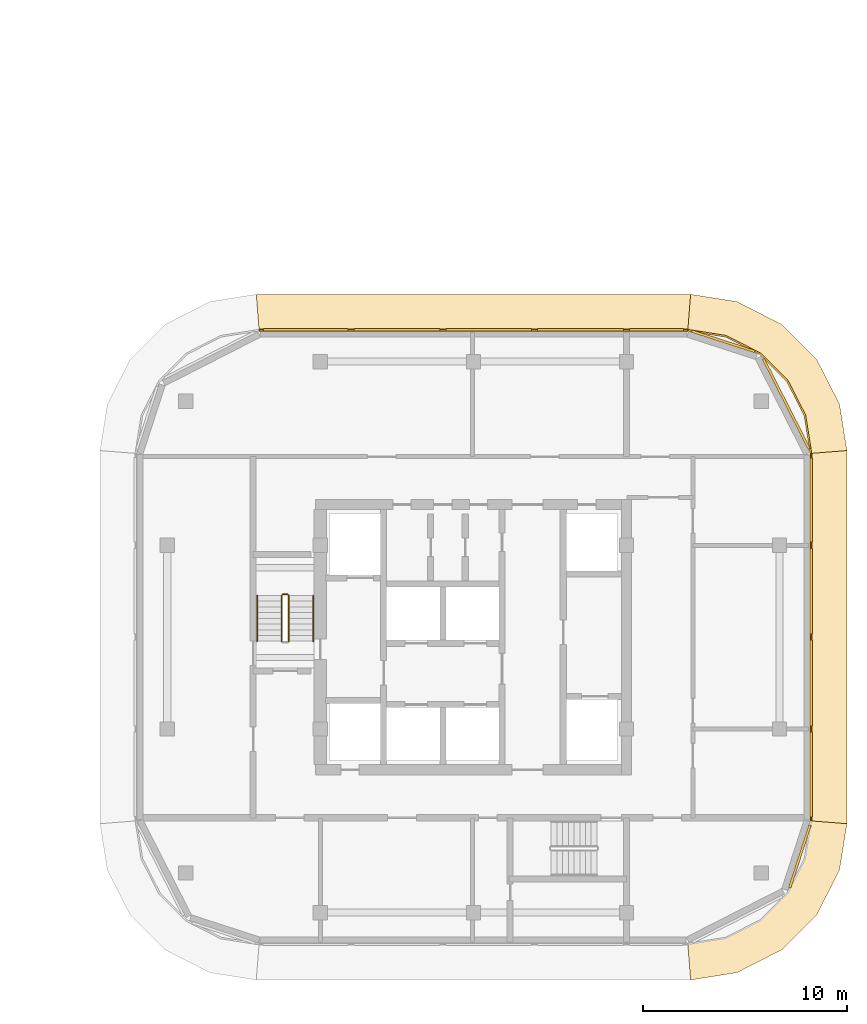
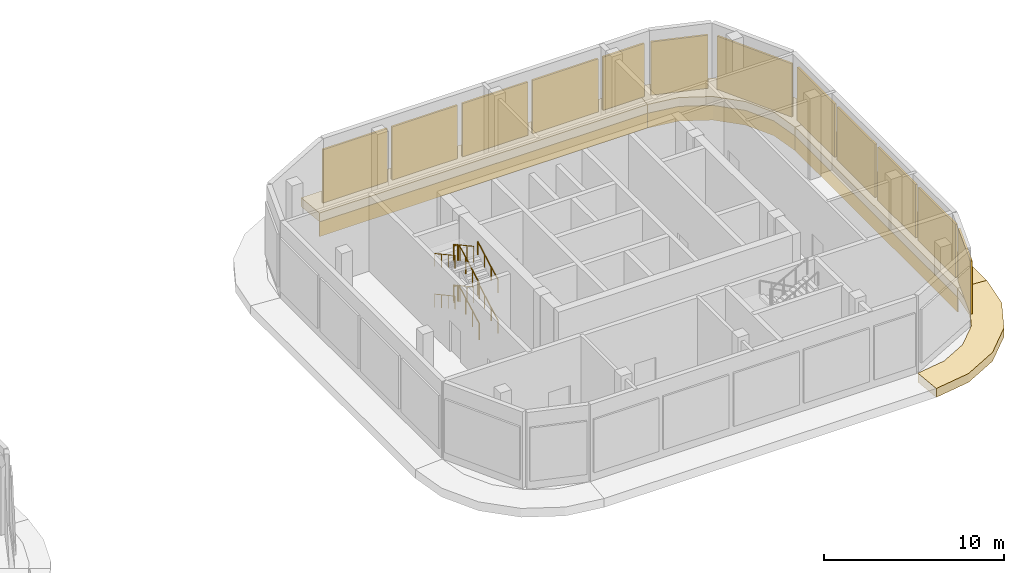
# One storey, part 23 of 23: 12 shading devices, 10 railings, 7 coverings.
"""IFC4 building model written with IfcOpenShell, lengths in metres."""

from ifc_helpers import new_model, si_unit, direction, frame, origin, origin_2d, place, context, subcontext, project, spatial, polyline, rectangle, circle, outline, extrude, material, layer, layer_set, type_object, element, save


model = new_model("IFC4")

# Units and contexts
model_context = context("Model", 3, precision=1e-05, world=origin(), true_north=direction((0.0, 1.0)))
body_context = subcontext(model_context, "Body", "Model", "MODEL_VIEW")
ifc_project = project(units=[si_unit("LENGTHUNIT", "METRE"), si_unit("AREAUNIT", "SQUARE_METRE"), si_unit("VOLUMEUNIT", "CUBIC_METRE"), si_unit("PLANEANGLEUNIT", "RADIAN"), si_unit("MASSUNIT", "GRAM", prefix="KILO")], contexts=[model_context])

# Site, building, storey
site_placement = place(None, origin())
site = spatial("IfcSite", under=ifc_project, at=site_placement, CompositionType="ELEMENT")
building_placement = place(site_placement, origin())
building = spatial("IfcBuilding", under=site, at=building_placement, Name="Ogive Portal Towers", CompositionType="ELEMENT")
storey_placement = place(building_placement, frame((0.0, 0.0, 81.60009765625)))
storey = spatial("IfcBuildingStorey", under=building, at=storey_placement, Name="L19", CompositionType="ELEMENT", Elevation=81.60009765625)

# Railings
ifc_material_1 = material(Name="Stainless steel balustrade", Category="steel")
railing_type_1 = type_object("IfcRailingType", Name="INT-GUARD", PredefinedType="GUARDRAIL", material=ifc_material_1)
railing_1_placement = place(storey_placement, frame((127.449951171875, 30.800048828125, 0.152587890625)))
element("IfcRailing", 1, at=railing_1_placement, inside=storey, type_object=railing_type_1, Name="L19 ST-B1 stair guard 1", PredefinedType="GUARDRAIL", context=body_context, shape_type="SweptSolid", body=[
    extrude(circle(Radius=0.02392578125, at=origin_2d()), frame((0.0, 0.0, 1.076171875), z_axis=(0.0, 0.877796834678, 0.479033106402), x_axis=(-1.0, 0.0, 0.0)), (0.0, 0.0, 1.0), 2.5517578125),
    extrude(circle(Radius=0.02099609375, at=origin_2d()), origin(), (0.0, 0.0, 1.0), 1.052001953125),
    extrude(circle(Radius=0.02099609375, at=origin_2d()), frame((0.0, 0.74658203125, 0.407470703125)), (0.0, 0.0, 1.0), 1.052001953125),
    extrude(circle(Radius=0.02099609375, at=origin_2d()), frame((0.0, 1.493408203125, 0.81494140625)), (0.0, 0.0, 1.0), 1.052001953125),
    extrude(circle(Radius=0.02099609375, at=origin_2d()), frame((0.0, 2.239990234375, 1.222412109375)), (0.0, 0.0, 1.0), 1.052001953125),
])
railing_2_placement = place(storey_placement, frame((127.39990234375, 33.090087890625, 1.375)))
element("IfcRailing", 2, at=railing_2_placement, inside=storey, type_object=railing_type_1, Name="L19 ST-B1 stair guard 2", PredefinedType="GUARDRAIL", context=body_context, shape_type="SweptSolid", body=[
    extrude(circle(Radius=0.02392578125, at=origin_2d()), frame((0.0, 0.0, 1.076171875), z_axis=(-1.0, 0.0, 0.0), x_axis=(0.0, -1.0, 0.0)), (0.0, 0.0, 1.0), 0.25),
    extrude(circle(Radius=0.02099609375, at=origin_2d()), origin(), (0.0, 0.0, 1.0), 1.052001953125),
    extrude(circle(Radius=0.02099609375, at=origin_2d()), frame((-0.25, 0.0, 0.0)), (0.0, 0.0, 1.0), 1.052001953125),
])
railing_3_placement = place(storey_placement, frame((127.10009765625, 33.0400390625, 1.527587890625)))
element("IfcRailing", 3, at=railing_3_placement, inside=storey, type_object=railing_type_1, Name="L19 ST-B1 stair guard 3", PredefinedType="GUARDRAIL", context=body_context, shape_type="SweptSolid", body=[
    extrude(circle(Radius=0.02392578125, at=origin_2d()), frame((0.0, 0.0, 1.076171875), z_axis=(0.0, -0.877796834678, 0.479033106402), x_axis=(1.0, 0.0, 0.0)), (0.0, 0.0, 1.0), 2.5517578125),
    extrude(circle(Radius=0.02099609375, at=origin_2d()), origin(), (0.0, 0.0, 1.0), 1.052001953125),
    extrude(circle(Radius=0.02099609375, at=origin_2d()), frame((0.0, -0.74658203125, 0.407470703125)), (0.0, 0.0, 1.0), 1.052001953125),
    extrude(circle(Radius=0.02099609375, at=origin_2d()), frame((0.0, -1.493408203125, 0.81494140625)), (0.0, 0.0, 1.0), 1.052001953125),
    extrude(circle(Radius=0.02099609375, at=origin_2d()), frame((0.0, -2.239990234375, 1.222412109375)), (0.0, 0.0, 1.0), 1.052001953125),
])
railing_4_placement = place(storey_placement, frame((127.449951171875, 30.800048828125, 2.902587890625)))
element("IfcRailing", 4, at=railing_4_placement, inside=storey, type_object=railing_type_1, Name="L19 ST-B1 stair guard 5", PredefinedType="GUARDRAIL", context=body_context, shape_type="SweptSolid", body=[
    extrude(circle(Radius=0.02392578125, at=origin_2d()), frame((0.0, 0.0, 1.076171875), z_axis=(0.0, 0.877796834678, 0.479033106402), x_axis=(-1.0, 0.0, 0.0)), (0.0, 0.0, 1.0), 2.5517578125),
    extrude(circle(Radius=0.02099609375, at=origin_2d()), origin(), (0.0, 0.0, 1.0), 1.052001953125),
    extrude(circle(Radius=0.02099609375, at=origin_2d()), frame((0.0, 0.74658203125, 0.407470703125)), (0.0, 0.0, 1.0), 1.052001953125),
    extrude(circle(Radius=0.02099609375, at=origin_2d()), frame((0.0, 1.493408203125, 0.81494140625)), (0.0, 0.0, 1.0), 1.052001953125),
    extrude(circle(Radius=0.02099609375, at=origin_2d()), frame((0.0, 2.239990234375, 1.222412109375)), (0.0, 0.0, 1.0), 1.052001953125),
])
railing_5_placement = place(storey_placement, frame((127.39990234375, 33.090087890625, 4.125)))
element("IfcRailing", 5, at=railing_5_placement, inside=storey, type_object=railing_type_1, Name="L19 ST-B1 stair guard 6", PredefinedType="GUARDRAIL", context=body_context, shape_type="SweptSolid", body=[
    extrude(circle(Radius=0.02392578125, at=origin_2d()), frame((0.0, 0.0, 1.076171875), z_axis=(-1.0, 0.0, 0.0), x_axis=(0.0, -1.0, 0.0)), (0.0, 0.0, 1.0), 0.25),
    extrude(circle(Radius=0.02099609375, at=origin_2d()), origin(), (0.0, 0.0, 1.0), 1.052001953125),
    extrude(circle(Radius=0.02099609375, at=origin_2d()), frame((-0.25, 0.0, 0.0)), (0.0, 0.0, 1.0), 1.052001953125),
])
railing_6_placement = place(storey_placement, frame((127.10009765625, 33.0400390625, 4.277587890625)))
element("IfcRailing", 6, at=railing_6_placement, inside=storey, type_object=railing_type_1, Name="L19 ST-B1 stair guard 7", PredefinedType="GUARDRAIL", context=body_context, shape_type="SweptSolid", body=[
    extrude(circle(Radius=0.02392578125, at=origin_2d()), frame((0.0, 0.0, 1.076171875), z_axis=(0.0, -0.877796834678, 0.479033106402), x_axis=(1.0, 0.0, 0.0)), (0.0, 0.0, 1.0), 2.5517578125),
    extrude(circle(Radius=0.02099609375, at=origin_2d()), origin(), (0.0, 0.0, 1.0), 1.052001953125),
    extrude(circle(Radius=0.02099609375, at=origin_2d()), frame((0.0, -0.74658203125, 0.407470703125)), (0.0, 0.0, 1.0), 1.052001953125),
    extrude(circle(Radius=0.02099609375, at=origin_2d()), frame((0.0, -1.493408203125, 0.81494140625)), (0.0, 0.0, 1.0), 1.052001953125),
    extrude(circle(Radius=0.02099609375, at=origin_2d()), frame((0.0, -2.239990234375, 1.222412109375)), (0.0, 0.0, 1.0), 1.052001953125),
])
ifc_material_2 = material(Name="Stainless steel handrail", Category="steel")
railing_type_2 = type_object("IfcRailingType", Name="INT-HANDRAIL", PredefinedType="HANDRAIL", material=ifc_material_2)
railing_7_placement = place(storey_placement, frame((128.64990234375, 30.800048828125, 0.152587890625)))
element("IfcRailing", 7, at=railing_7_placement, inside=storey, type_object=railing_type_2, Name="L19 ST-B1 stair handrail 1", PredefinedType="HANDRAIL", context=body_context, shape_type="SweptSolid", body=[
    extrude(circle(Radius=0.02392578125, at=origin_2d()), frame((0.0, 0.0, 0.8759765625), z_axis=(0.0, 0.877796834678, 0.479033106402), x_axis=(-1.0, 0.0, 0.0)), (0.0, 0.0, 1.0), 2.5517578125),
    extrude(circle(Radius=0.02099609375, at=origin_2d()), origin(), (0.0, 0.0, 1.0), 0.851806640625),
    extrude(circle(Radius=0.02099609375, at=origin_2d()), frame((0.0, 0.74658203125, 0.407470703125)), (0.0, 0.0, 1.0), 0.851806640625),
    extrude(circle(Radius=0.02099609375, at=origin_2d()), frame((0.0, 1.493408203125, 0.81494140625)), (0.0, 0.0, 1.0), 0.851806640625),
    extrude(circle(Radius=0.02099609375, at=origin_2d()), frame((0.0, 2.239990234375, 1.222412109375)), (0.0, 0.0, 1.0), 0.851806640625),
])
railing_8_placement = place(storey_placement, frame((125.89990234375, 33.0400390625, 1.527587890625)))
element("IfcRailing", 8, at=railing_8_placement, inside=storey, type_object=railing_type_2, Name="L19 ST-B1 stair handrail 2", PredefinedType="HANDRAIL", context=body_context, shape_type="SweptSolid", body=[
    extrude(circle(Radius=0.02392578125, at=origin_2d()), frame((0.0, 0.0, 0.8759765625), z_axis=(0.0, -0.877796834678, 0.479033106402), x_axis=(1.0, 0.0, 0.0)), (0.0, 0.0, 1.0), 2.5517578125),
    extrude(circle(Radius=0.02099609375, at=origin_2d()), origin(), (0.0, 0.0, 1.0), 0.851806640625),
    extrude(circle(Radius=0.02099609375, at=origin_2d()), frame((0.0, -0.74658203125, 0.407470703125)), (0.0, 0.0, 1.0), 0.851806640625),
    extrude(circle(Radius=0.02099609375, at=origin_2d()), frame((0.0, -1.493408203125, 0.81494140625)), (0.0, 0.0, 1.0), 0.851806640625),
    extrude(circle(Radius=0.02099609375, at=origin_2d()), frame((0.0, -2.239990234375, 1.222412109375)), (0.0, 0.0, 1.0), 0.851806640625),
])
railing_9_placement = place(storey_placement, frame((128.64990234375, 30.800048828125, 2.902587890625)))
element("IfcRailing", 9, at=railing_9_placement, inside=storey, type_object=railing_type_2, Name="L19 ST-B1 stair handrail 3", PredefinedType="HANDRAIL", context=body_context, shape_type="SweptSolid", body=[
    extrude(circle(Radius=0.02392578125, at=origin_2d()), frame((0.0, 0.0, 0.8759765625), z_axis=(0.0, 0.877796834678, 0.479033106402), x_axis=(-1.0, 0.0, 0.0)), (0.0, 0.0, 1.0), 2.5517578125),
    extrude(circle(Radius=0.02099609375, at=origin_2d()), origin(), (0.0, 0.0, 1.0), 0.851806640625),
    extrude(circle(Radius=0.02099609375, at=origin_2d()), frame((0.0, 0.74658203125, 0.407470703125)), (0.0, 0.0, 1.0), 0.851806640625),
    extrude(circle(Radius=0.02099609375, at=origin_2d()), frame((0.0, 1.493408203125, 0.81494140625)), (0.0, 0.0, 1.0), 0.851806640625),
    extrude(circle(Radius=0.02099609375, at=origin_2d()), frame((0.0, 2.239990234375, 1.222412109375)), (0.0, 0.0, 1.0), 0.851806640625),
])
railing_10_placement = place(storey_placement, frame((125.89990234375, 33.0400390625, 4.277587890625)))
element("IfcRailing", 10, at=railing_10_placement, inside=storey, type_object=railing_type_2, Name="L19 ST-B1 stair handrail 4", PredefinedType="HANDRAIL", context=body_context, shape_type="SweptSolid", body=[
    extrude(circle(Radius=0.02392578125, at=origin_2d()), frame((0.0, 0.0, 0.8759765625), z_axis=(0.0, -0.877796834678, 0.479033106402), x_axis=(1.0, 0.0, 0.0)), (0.0, 0.0, 1.0), 2.5517578125),
    extrude(circle(Radius=0.02099609375, at=origin_2d()), origin(), (0.0, 0.0, 1.0), 0.851806640625),
    extrude(circle(Radius=0.02099609375, at=origin_2d()), frame((0.0, -0.74658203125, 0.407470703125)), (0.0, 0.0, 1.0), 0.851806640625),
    extrude(circle(Radius=0.02099609375, at=origin_2d()), frame((0.0, -1.493408203125, 0.81494140625)), (0.0, 0.0, 1.0), 0.851806640625),
    extrude(circle(Radius=0.02099609375, at=origin_2d()), frame((0.0, -2.239990234375, 1.222412109375)), (0.0, 0.0, 1.0), 0.851806640625),
])

# Shading devices
ifc_material_3 = material(Name="Aluminium 6063 anodised", Category="aluminium")
ifc_layer_1 = layer(ifc_material_3, 0.1201171875)
ifc_layer_set_1 = layer_set([ifc_layer_1], Name="LOUVRE BANK ALUMINIUM")
shading_device_type = type_object("IfcShadingDeviceType", Name="LOUVRE BANK ALUMINIUM", PredefinedType="USERDEFINED", material=ifc_layer_set_1)
shading_device_1_placement = place(storey_placement, frame((152.49609375, 20.254638671875, 0.599853515625), z_axis=(0.0, 0.0, 1.0), x_axis=(0.309016994375, 0.951056516295, 0.0)))
element("IfcShadingDevice", 11, at=shading_device_1_placement, inside=storey, type_object=shading_device_type, Name="Louvre bank 1", ObjectType="LOUVRE", PredefinedType="USERDEFINED", context=body_context, shape_type="SweptSolid", body=[
    extrude(rectangle(XDim=3.236328125, YDim=0.1201171875, at=origin_2d()), origin(), (0.0, 0.0, 1.0), 3.60009765625),
])
shading_device_2_placement = place(storey_placement, frame((153.06005859375, 24.273681640625, 0.599853515625), z_axis=(0.0, 0.0, 1.0), x_axis=(0.0, 1.0, 0.0)))
element("IfcShadingDevice", 12, at=shading_device_2_placement, inside=storey, type_object=shading_device_type, Name="Louvre bank 1", ObjectType="LOUVRE", PredefinedType="USERDEFINED", context=body_context, shape_type="SweptSolid", body=[
    extrude(rectangle(XDim=4.152587890625, YDim=0.1201171875, at=origin_2d()), origin(), (0.0, 0.0, 1.0), 3.60009765625),
])
for number, where, z_axis, x_axis, name in (
    (13, (153.06005859375, 28.75, 0.599853515625), (0.0, 0.0, 1.0), (0.0, 1.0, 0.0), "Louvre bank 2"),
    (14, (153.06005859375, 33.25, 0.599853515625), (0.0, 0.0, 1.0), (0.0, 1.0, 0.0), "Louvre bank 3"),
):
    element("IfcShadingDevice", number, at=place(storey_placement, frame(where, z_axis=z_axis, x_axis=x_axis)), inside=storey, type_object=shading_device_type, Name=name, ObjectType="LOUVRE", PredefinedType="USERDEFINED", context=body_context, shape_type="SweptSolid", body=[
        extrude(rectangle(XDim=4.199951171875, YDim=0.1201171875, at=origin_2d()), origin(), (0.0, 0.0, 1.0), 3.60009765625),
    ])
shading_device_3_placement = place(storey_placement, frame((153.06005859375, 37.7138671875, 0.599853515625), z_axis=(0.0, 0.0, 1.0), x_axis=(0.0, 1.0, 0.0)))
element("IfcShadingDevice", 15, at=shading_device_3_placement, inside=storey, type_object=shading_device_type, Name="Louvre bank 4", ObjectType="LOUVRE", PredefinedType="USERDEFINED", context=body_context, shape_type="SweptSolid", body=[
    extrude(rectangle(XDim=4.1279296875, YDim=0.1201171875, at=origin_2d()), origin(), (0.0, 0.0, 1.0), 3.60009765625),
])
shading_device_4_placement = place(storey_placement, frame((151.82861328125, 42.430908203125, 0.599853515625), z_axis=(0.0, 0.0, 1.0), x_axis=(-0.45399049974, 0.891006524188, 0.0)))
element("IfcShadingDevice", 16, at=shading_device_4_placement, inside=storey, type_object=shading_device_type, Name="Louvre bank 1", ObjectType="LOUVRE", PredefinedType="USERDEFINED", context=body_context, shape_type="SweptSolid", body=[
    extrude(rectangle(XDim=4.95166015625, YDim=0.1201171875, at=origin_2d()), origin(), (0.0, 0.0, 1.0), 3.60009765625),
])
shading_device_5_placement = place(storey_placement, frame((148.745361328125, 45.49609375, 0.599853515625), z_axis=(0.0, 0.0, 1.0), x_axis=(-0.951056516295, 0.309016994375, 0.0)))
element("IfcShadingDevice", 17, at=shading_device_5_placement, inside=storey, type_object=shading_device_type, Name="Louvre bank 1", ObjectType="LOUVRE", PredefinedType="USERDEFINED", context=body_context, shape_type="SweptSolid", body=[
    extrude(rectangle(XDim=3.236328125, YDim=0.1201171875, at=origin_2d()), origin(), (0.0, 0.0, 1.0), 3.60009765625),
])
shading_device_6_placement = place(storey_placement, frame((145.476318359375, 46.06005859375, 0.599853515625), z_axis=(0.0, 0.0, 1.0), x_axis=(-1.0, 0.0, 0.0)))
element("IfcShadingDevice", 18, at=shading_device_6_placement, inside=storey, type_object=shading_device_type, Name="Louvre bank 1", ObjectType="LOUVRE", PredefinedType="USERDEFINED", context=body_context, shape_type="SweptSolid", body=[
    extrude(rectangle(XDim=2.652587890625, YDim=0.1201171875, at=origin_2d()), origin(), (0.0, 0.0, 1.0), 3.60009765625),
])
for number, where, z_axis, x_axis, name in (
    (19, (141.75, 46.06005859375, 0.599853515625), (0.0, 0.0, 1.0), (-1.0, 0.0, 0.0), "Louvre bank 2"),
    (20, (137.25, 46.06005859375, 0.599853515625), (0.0, 0.0, 1.0), (-1.0, 0.0, 0.0), "Louvre bank 3"),
    (21, (132.75, 46.06005859375, 0.599853515625), (0.0, 0.0, 1.0), (-1.0, 0.0, 0.0), "Louvre bank 4"),
):
    element("IfcShadingDevice", number, at=place(storey_placement, frame(where, z_axis=z_axis, x_axis=x_axis)), inside=storey, type_object=shading_device_type, Name=name, ObjectType="LOUVRE", PredefinedType="USERDEFINED", context=body_context, shape_type="SweptSolid", body=[
        extrude(rectangle(XDim=4.199951171875, YDim=0.1201171875, at=origin_2d()), origin(), (0.0, 0.0, 1.0), 3.60009765625),
    ])
shading_device_7_placement = place(storey_placement, frame((128.2861328125, 46.06005859375, 0.599853515625), z_axis=(0.0, 0.0, 1.0), x_axis=(-1.0, 0.0, 0.0)))
element("IfcShadingDevice", 22, at=shading_device_7_placement, inside=storey, type_object=shading_device_type, Name="Louvre bank 5", ObjectType="LOUVRE", PredefinedType="USERDEFINED", context=body_context, shape_type="SweptSolid", body=[
    extrude(rectangle(XDim=4.1279296875, YDim=0.1201171875, at=origin_2d()), origin(), (0.0, 0.0, 1.0), 3.60009765625),
])

# Coverings
ifc_material_4 = material(Name="Limestone cladding on lightweight block wall", Category="masonry")
ifc_layer_2 = layer(ifc_material_4, 0.080078125)
ifc_layer_set_2 = layer_set([ifc_layer_2], Name="STONE SPANDREL 80")
covering_type_1 = type_object("IfcCoveringType", Name="STONE SPANDREL 80", PredefinedType="CLADDING", material=ifc_layer_set_2)
covering_1_placement = place(storey_placement, frame((0.0, 0.0, -1.60009765625)))
element("IfcCovering", 23, at=covering_1_placement, inside=storey, type_object=covering_type_1, Name="Stone spandrel B1-F04", PredefinedType="CLADDING", context=body_context, shape_type="SweptSolid", body=[
    extrude(outline(polyline([(153.0, 22.0), (153.0, 40.0), (153.080078125, 40.00634765625), (153.080078125, 21.99365234375), (153.0, 22.0)])), origin(), (0.0, 0.0, 1.0), 1.0),
])
covering_2_placement = place(storey_placement, frame((0.0, 0.0, -1.60009765625)))
element("IfcCovering", 24, at=covering_2_placement, inside=storey, type_object=covering_type_1, Name="Stone spandrel B1-F05", PredefinedType="CLADDING", context=body_context, shape_type="SweptSolid", body=[
    extrude(outline(polyline([(153.0, 40.0), (152.706298828125, 41.85400390625), (151.85400390625, 43.526611328125), (150.526611328125, 44.85400390625), (148.85400390625, 45.706298828125), (147.0, 46.0), (147.00634765625, 46.080078125), (148.879150390625, 45.783447265625), (150.57421875, 44.919677734375), (151.919677734375, 43.57421875), (152.783447265625, 41.879150390625), (153.080078125, 40.00634765625), (153.0, 40.0)])), origin(), (0.0, 0.0, 1.0), 1.0),
])
covering_3_placement = place(storey_placement, frame((0.0, 0.0, -1.60009765625)))
element("IfcCovering", 25, at=covering_3_placement, inside=storey, type_object=covering_type_1, Name="Stone spandrel B1-F06", PredefinedType="CLADDING", context=body_context, shape_type="SweptSolid", body=[
    extrude(outline(polyline([(147.0, 46.0), (126.0, 46.0), (125.99365234375, 46.080078125), (147.00634765625, 46.080078125), (147.0, 46.0)])), origin(), (0.0, 0.0, 1.0), 1.0),
])
ifc_layer_3 = layer(ifc_material_4, 0.60009765625)
ifc_layer_set_3 = layer_set([ifc_layer_3], Name="SUNSHADE LIP 600")
covering_type_2 = type_object("IfcCoveringType", Name="SUNSHADE LIP 600", PredefinedType="CLADDING", material=ifc_layer_set_3)
covering_4_placement = place(storey_placement, frame((0.0, 0.0, -0.60009765625)))
element("IfcCovering", 26, at=covering_4_placement, inside=storey, type_object=covering_type_2, Name="Sunshade lip B1-F03", PredefinedType="CLADDING", context=body_context, shape_type="SweptSolid", body=[
    extrude(outline(polyline([(147.0, 16.0), (148.85400390625, 16.293701171875), (150.526611328125, 17.14599609375), (151.85400390625, 18.473388671875), (152.706298828125, 20.14599609375), (153.0, 22.0), (154.800048828125, 21.8583984375), (154.439697265625, 19.582763671875), (153.328369140625, 17.402099609375), (151.597900390625, 15.671630859375), (149.417236328125, 14.560302734375), (147.1416015625, 14.199951171875), (147.0, 16.0)])), origin(), (0.0, 0.0, 1.0), 0.60009765625),
])
covering_5_placement = place(storey_placement, frame((0.0, 0.0, -0.60009765625)))
element("IfcCovering", 27, at=covering_5_placement, inside=storey, type_object=covering_type_2, Name="Sunshade lip B1-F04", PredefinedType="CLADDING", context=body_context, shape_type="SweptSolid", body=[
    extrude(outline(polyline([(153.0, 22.0), (153.0, 40.0), (154.800048828125, 40.1416015625), (154.800048828125, 21.8583984375), (153.0, 22.0)])), origin(), (0.0, 0.0, 1.0), 0.60009765625),
])
covering_6_placement = place(storey_placement, frame((0.0, 0.0, -0.60009765625)))
element("IfcCovering", 28, at=covering_6_placement, inside=storey, type_object=covering_type_2, Name="Sunshade lip B1-F05", PredefinedType="CLADDING", context=body_context, shape_type="SweptSolid", body=[
    extrude(outline(polyline([(153.0, 40.0), (152.706298828125, 41.85400390625), (151.85400390625, 43.526611328125), (150.526611328125, 44.85400390625), (148.85400390625, 45.706298828125), (147.0, 46.0), (147.1416015625, 47.800048828125), (149.417236328125, 47.439697265625), (151.597900390625, 46.328369140625), (153.328369140625, 44.597900390625), (154.439697265625, 42.417236328125), (154.800048828125, 40.1416015625), (153.0, 40.0)])), origin(), (0.0, 0.0, 1.0), 0.60009765625),
])
covering_7_placement = place(storey_placement, frame((0.0, 0.0, -0.60009765625)))
element("IfcCovering", 29, at=covering_7_placement, inside=storey, type_object=covering_type_2, Name="Sunshade lip B1-F06", PredefinedType="CLADDING", context=body_context, shape_type="SweptSolid", body=[
    extrude(outline(polyline([(147.0, 46.0), (126.0, 46.0), (125.8583984375, 47.800048828125), (147.1416015625, 47.800048828125), (147.0, 46.0)])), origin(), (0.0, 0.0, 1.0), 0.60009765625),
])

save(model, "model.ifc")
